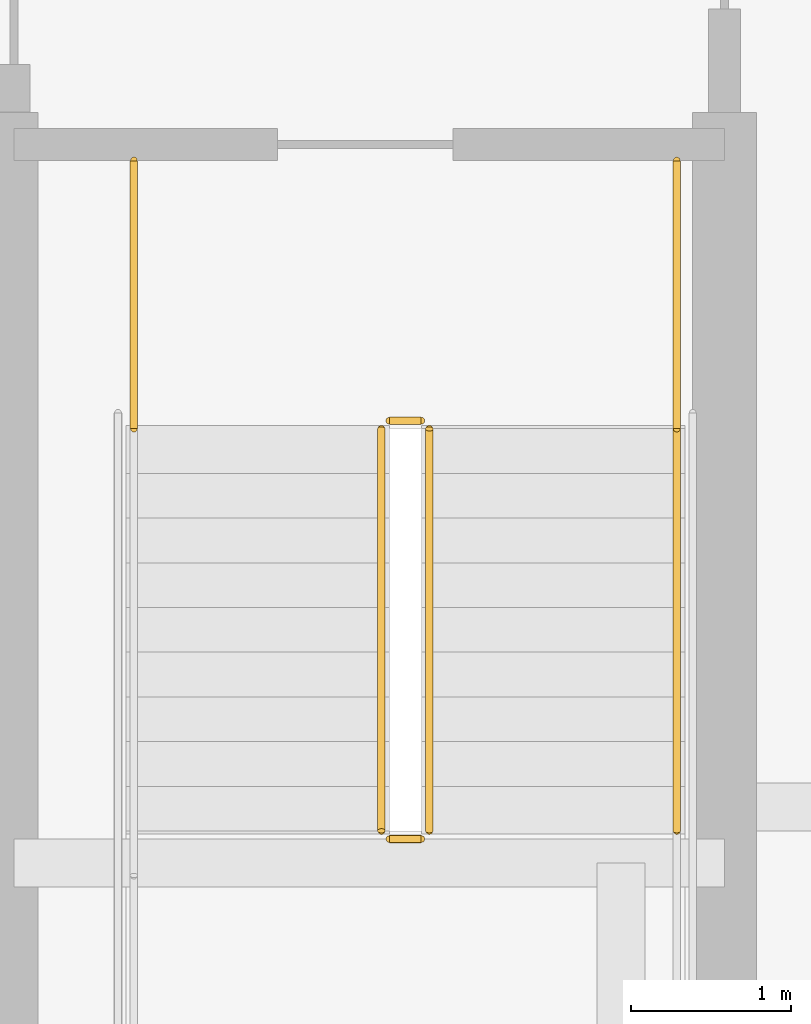
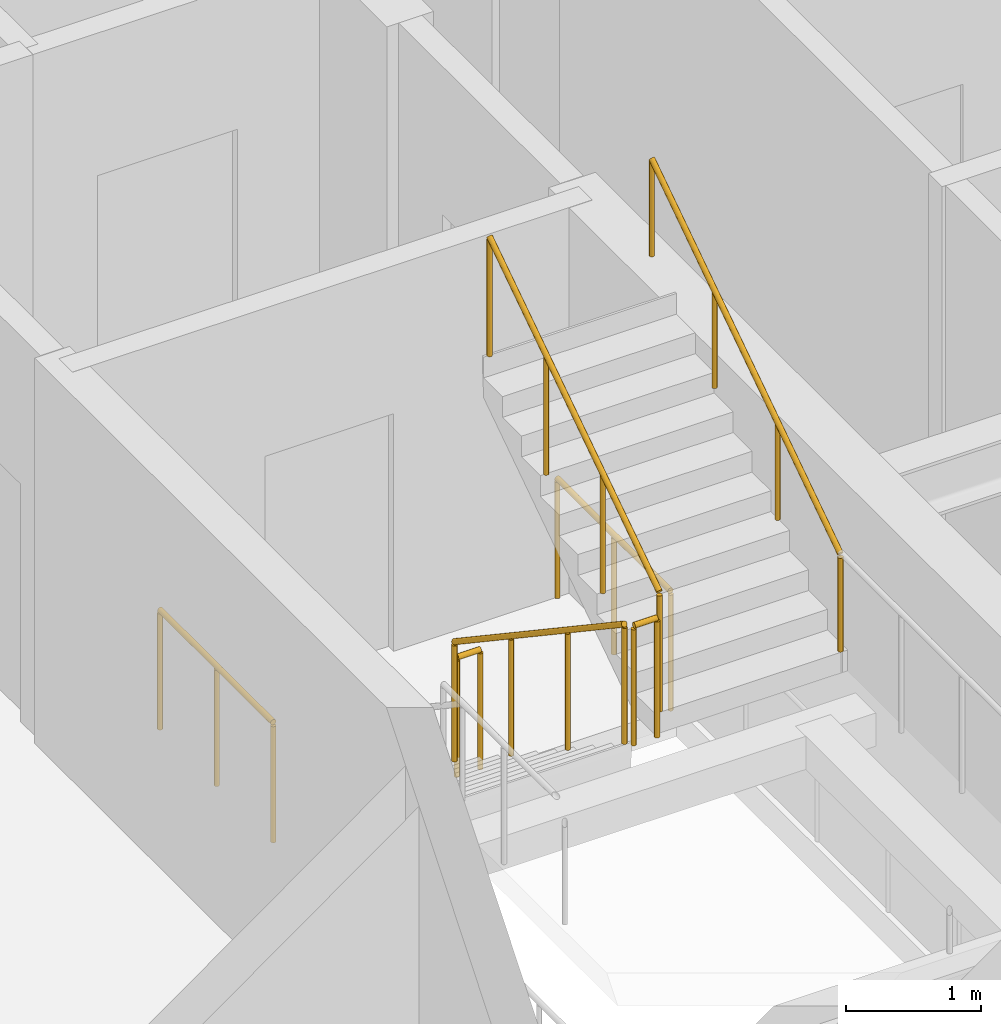
# One storey, part 37 of 38: 7 railings.
"""IFC4 building model written with IfcOpenShell, lengths in metres."""

from ifc_helpers import new_model, si_unit, direction, frame, origin, origin_2d, place, context, subcontext, project, spatial, circle, extrude, material, type_object, element, save


model = new_model("IFC4")

# Units and contexts
model_context = context("Model", 3, precision=1e-05, world=origin(), true_north=direction((0.0, 1.0)))
body_context = subcontext(model_context, "Body", "Model", "MODEL_VIEW")
ifc_project = project(units=[si_unit("LENGTHUNIT", "METRE"), si_unit("AREAUNIT", "SQUARE_METRE"), si_unit("VOLUMEUNIT", "CUBIC_METRE"), si_unit("PLANEANGLEUNIT", "RADIAN"), si_unit("MASSUNIT", "GRAM", prefix="KILO")], contexts=[model_context])

# Site, building, storey
site_placement = place(None, origin())
site = spatial("IfcSite", under=ifc_project, at=site_placement, CompositionType="ELEMENT")
building_placement = place(site_placement, origin())
building = spatial("IfcBuilding", under=site, at=building_placement, Name="Serunith Strait Residences", CompositionType="ELEMENT")
storey_placement = place(building_placement, frame((0.0, 0.0, 183.89990234375)))
storey = spatial("IfcBuildingStorey", under=building, at=storey_placement, Name="L46", CompositionType="ELEMENT", Elevation=183.89990234375)

# Railings
ifc_material = material(Name="Brushed stainless steel 316L", Category="steel")
railing_type_1 = type_object("IfcRailingType", Name="RLG-STAIR-GUARD", PredefinedType="BALUSTRADE", material=ifc_material)
railing_1_placement = place(storey_placement, frame((39.25, 23.3701171875, 0.1875)))
element("IfcRailing", 1, at=railing_1_placement, inside=storey, type_object=railing_type_1, Name="L46 ST-2 stair guard 1", PredefinedType="BALUSTRADE", context=body_context, shape_type="SweptSolid", body=[
    extrude(circle(Radius=0.02392578125, at=origin_2d()), frame((0.0, -0.001708984375, 1.0771484375), z_axis=(0.0, -0.830909170722, 0.55640807867), x_axis=(1.0, 0.0, 0.0)), (0.0, 0.0, 1.0), 3.02880859375),
    extrude(circle(Radius=0.02099609375, at=origin_2d()), origin(), (0.0, 0.0, 1.0), 1.050048828125),
    extrude(circle(Radius=0.02099609375, at=origin_2d()), frame((0.0, -0.840087890625, 0.5625)), (0.0, 0.0, 1.0), 1.050048828125),
    extrude(circle(Radius=0.02099609375, at=origin_2d()), frame((0.0, -1.679931640625, 1.125)), (0.0, 0.0, 1.0), 1.050048828125),
    extrude(circle(Radius=0.02099609375, at=origin_2d()), frame((0.0, -2.52001953125, 1.6875)), (0.0, 0.0, 1.0), 1.050048828125),
])
railing_2_placement = place(storey_placement, frame((39.300048828125, 20.800048828125, 1.875)))
element("IfcRailing", 2, at=railing_2_placement, inside=storey, type_object=railing_type_1, Name="L46 ST-2 stair guard 2", PredefinedType="BALUSTRADE", context=body_context, shape_type="SweptSolid", body=[
    extrude(circle(Radius=0.02392578125, at=origin_2d()), frame((0.001953125, 0.0, 1.076171875), z_axis=(1.0, 0.0, 0.0), x_axis=(0.0, 1.0, 0.0)), (0.0, 0.0, 1.0), 0.196044921875),
    extrude(circle(Radius=0.02099609375, at=origin_2d()), origin(), (0.0, 0.0, 1.0), 1.050048828125),
    extrude(circle(Radius=0.02099609375, at=origin_2d()), frame((0.199951171875, 0.0, 0.0)), (0.0, 0.0, 1.0), 1.050048828125),
])
railing_3_placement = place(storey_placement, frame((39.550048828125, 20.85009765625, 2.0625)))
element("IfcRailing", 3, at=railing_3_placement, inside=storey, type_object=railing_type_1, Name="L46 ST-2 stair guard 6", PredefinedType="BALUSTRADE", context=body_context, shape_type="SweptSolid", body=[
    extrude(circle(Radius=0.02392578125, at=origin_2d()), frame((0.0, 0.001708984375, 1.0771484375), z_axis=(0.0, 0.830909170722, 0.55640807867), x_axis=(-1.0, 0.0, 0.0)), (0.0, 0.0, 1.0), 3.02880859375),
    extrude(circle(Radius=0.02099609375, at=origin_2d()), origin(), (0.0, 0.0, 1.0), 1.050048828125),
    extrude(circle(Radius=0.02099609375, at=origin_2d()), frame((0.0, 0.840087890625, 0.5625)), (0.0, 0.0, 1.0), 1.050048828125),
    extrude(circle(Radius=0.02099609375, at=origin_2d()), frame((0.0, 1.679931640625, 1.125)), (0.0, 0.0, 1.0), 1.050048828125),
    extrude(circle(Radius=0.02099609375, at=origin_2d()), frame((0.0, 2.52001953125, 1.6875)), (0.0, 0.0, 1.0), 1.050048828125),
])
railing_4_placement = place(storey_placement, frame((39.300048828125, 23.419921875, 0.0)))
element("IfcRailing", 4, at=railing_4_placement, inside=storey, type_object=railing_type_1, Name="L46 ST-2 stair guard 7", PredefinedType="BALUSTRADE", context=body_context, shape_type="SweptSolid", body=[
    extrude(circle(Radius=0.02392578125, at=origin_2d()), frame((0.001953125, 0.0, 1.076171875), z_axis=(1.0, 0.0, 0.0), x_axis=(0.0, 1.0, 0.0)), (0.0, 0.0, 1.0), 0.196044921875),
    extrude(circle(Radius=0.02099609375, at=origin_2d()), origin(), (0.0, 0.0, 1.0), 1.050048828125),
    extrude(circle(Radius=0.02099609375, at=origin_2d()), frame((0.199951171875, 0.0, 0.0)), (0.0, 0.0, 1.0), 1.050048828125),
])
for number, where, name in (
    (5, (37.699951171875, 25.050048828125, 0.0), "L46 ST-2 stair guard 8"),
    (6, (41.10009765625, 25.050048828125, 0.0), "L46 ST-2 stair guard 9"),
):
    element("IfcRailing", number, at=place(storey_placement, frame(where)), inside=storey, type_object=railing_type_1, Name=name, PredefinedType="BALUSTRADE", context=body_context, shape_type="SweptSolid", body=[
        extrude(circle(Radius=0.02392578125, at=origin_2d()), frame((0.0, -0.001953125, 1.076171875), z_axis=(0.0, -1.0, 0.0), x_axis=(1.0, 0.0, 0.0)), (0.0, 0.0, 1.0), 1.676025390625),
        extrude(circle(Radius=0.02099609375, at=origin_2d()), origin(), (0.0, 0.0, 1.0), 1.050048828125),
        extrude(circle(Radius=0.02099609375, at=origin_2d()), frame((0.0, -0.83984375, 0.0)), (0.0, 0.0, 1.0), 1.050048828125),
        extrude(circle(Radius=0.02099609375, at=origin_2d()), frame((0.0, -1.679931640625, 0.0)), (0.0, 0.0, 1.0), 1.050048828125),
    ])
railing_type_2 = type_object("IfcRailingType", Name="RLG-STAIR-HR", PredefinedType="HANDRAIL", material=ifc_material)
railing_5_placement = place(storey_placement, frame((41.10009765625, 20.85009765625, 2.0625)))
element("IfcRailing", 7, at=railing_5_placement, inside=storey, type_object=railing_type_2, Name="L46 ST-2 stair handrail 2", PredefinedType="HANDRAIL", context=body_context, shape_type="SweptSolid", body=[
    extrude(circle(Radius=0.02392578125, at=origin_2d()), frame((0.0, 0.001708984375, 0.876953125), z_axis=(0.0, 0.830185712471, 0.557486935101), x_axis=(-1.0, 0.0, 0.0)), (0.0, 0.0, 1.0), 3.368408203125),
    extrude(circle(Radius=0.02099609375, at=origin_2d()), origin(), (0.0, 0.0, 1.0), 0.849853515625),
    extrude(circle(Radius=0.02099609375, at=origin_2d()), frame((0.0, 0.933349609375, 0.626708984375)), (0.0, 0.0, 1.0), 0.849853515625),
    extrude(circle(Radius=0.02099609375, at=origin_2d()), frame((0.0, 1.866455078125, 1.25341796875)), (0.0, 0.0, 1.0), 0.849853515625),
    extrude(circle(Radius=0.02099609375, at=origin_2d()), frame((0.0, 2.7998046875, 1.880126953125)), (0.0, 0.0, 1.0), 0.849853515625),
])

save(model, "model.ifc")
